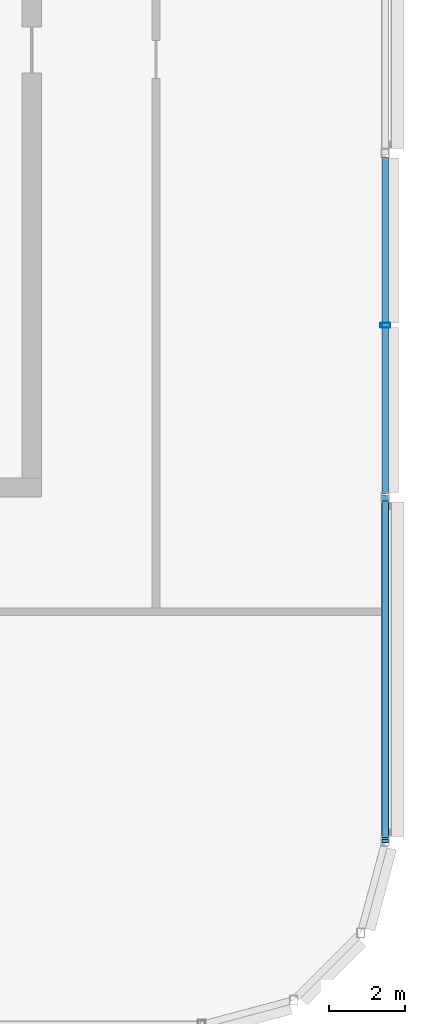
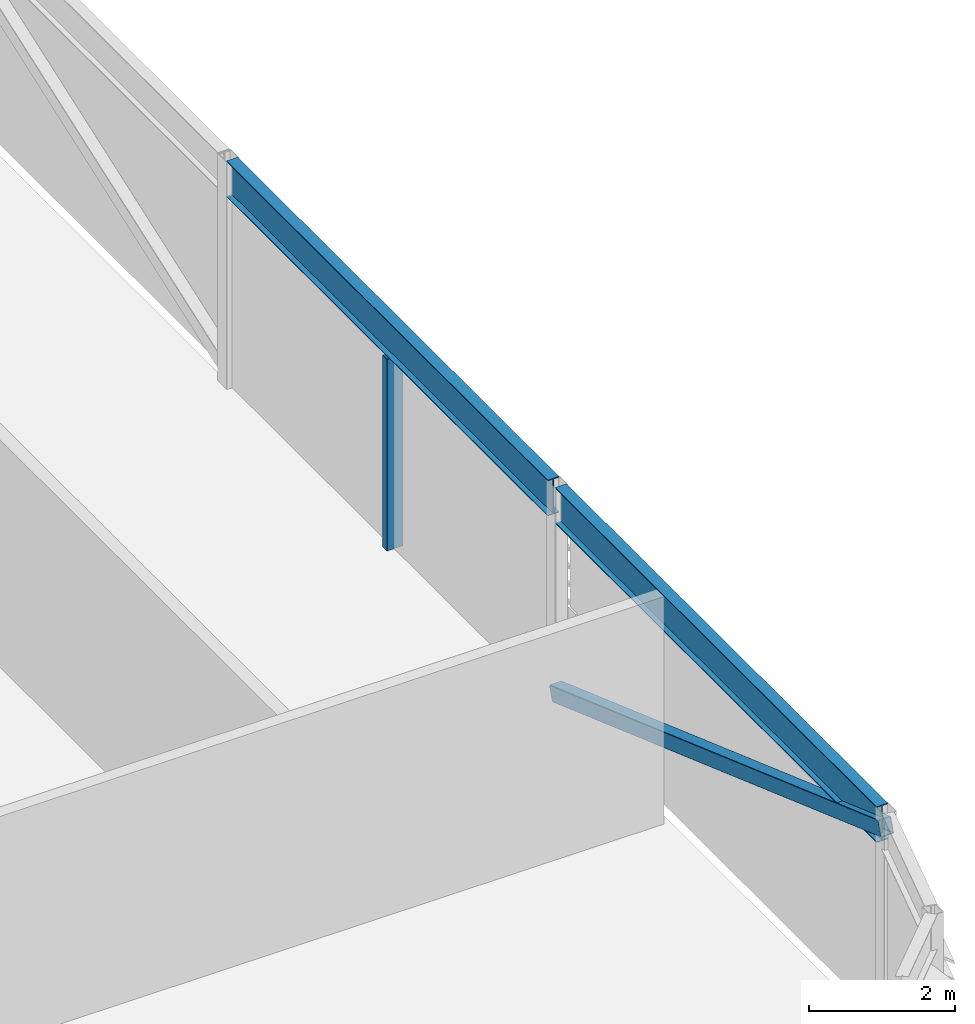
# One storey, part 9 of 28: 2 beams, 2 members.
"""IFC4 building model written with IfcOpenShell, lengths in metres."""

import ifcopenshell
import ifcopenshell.guid

model = None  # the IFC model being written
_history = None  # IfcOwnerHistory: only IFC2X3 demands one
_inside = {}  # id of a spatial element -> (the spatial element, [elements in it])
_under = {}  # id of a project, library or spatial element -> (it, [spatial elements below it])
_declared = {}  # id of a project -> (the project, [libraries it declares])
_typed = {}  # id of a type object -> (the type object, [elements of that type])
_made_of = {}  # id of a material, layer set ... -> (it, [elements and type objects made of it])


def new_model(schema):
    """Start an empty IFC model of exactly this schema.

    Asked for "IFC4X3", IfcOpenShell would pick the latest addendum, in which some entities
    have other attributes; the version numbers below select the first issue.
    IFC2X3 requires an IfcOwnerHistory on every rooted entity: one is made here for all.
    """
    global model, _history
    if schema == "IFC4X3":
        model = ifcopenshell.file(schema_version=(4, 3, 0, 0))
    else:
        model = ifcopenshell.file(schema=schema)
    _inside.clear()
    _under.clear()
    _declared.clear()
    _typed.clear()
    _made_of.clear()
    _history = None
    if model.schema == "IFC2X3":
        org = make("IfcOrganization", Name="unknown")
        user = make(
            "IfcPersonAndOrganization",
            ThePerson=make("IfcPerson", FamilyName="unknown"),
            TheOrganization=org,
        )
        app = make(
            "IfcApplication",
            ApplicationDeveloper=org,
            Version="unknown",
            ApplicationFullName="unknown",
            ApplicationIdentifier="unknown",
        )
        _history = make(
            "IfcOwnerHistory",
            OwningUser=user,
            OwningApplication=app,
            ChangeAction="ADDED",
            CreationDate=0,
        )
    return model


def make(cls, **values):
    """One entity of the class cls with the attributes given. An attribute that is None is left unset."""
    return model.create_entity(
        cls, **{name: value for name, value in values.items() if value is not None}
    )


def rooted(cls, **values):
    """An entity with a GlobalId (a new one), such as an element, a storey or a relation."""
    return make(cls, GlobalId=ifcopenshell.guid.new(), OwnerHistory=_history, **values)


def si_unit(unit_type, name, prefix=None):
    """IfcSIUnit, for example si_unit("LENGTHUNIT", "METRE", prefix="MILLI")."""
    return make("IfcSIUnit", UnitType=unit_type, Prefix=prefix, Name=name)


def assignment(units):
    """IfcUnitAssignment: the units of a project."""
    return None if units is None else make("IfcUnitAssignment", Units=units)


def point(xyz):
    """IfcCartesianPoint."""
    return None if xyz is None else make("IfcCartesianPoint", Coordinates=xyz)


def direction(xyz):
    """IfcDirection."""
    return None if xyz is None else make("IfcDirection", DirectionRatios=xyz)


def frame(location, z_axis=None, x_axis=None):
    """IfcAxis2Placement3D, a coordinate frame: its origin and axes. An axis left out is left unset."""
    return make(
        "IfcAxis2Placement3D",
        Location=point(location),
        Axis=direction(z_axis),
        RefDirection=direction(x_axis),
    )


def frame_2d(location, x_axis=None):
    """IfcAxis2Placement2D, a coordinate frame in the plane: its origin and x axis."""
    return make(
        "IfcAxis2Placement2D", Location=point(location), RefDirection=direction(x_axis)
    )


def origin():
    """The frame at (0, 0, 0) with its axes left unset."""
    return frame((0.0, 0.0, 0.0))


def origin_2d():
    """The frame at (0, 0) in the plane with its x axis left unset."""
    return frame_2d((0.0, 0.0))


def place(relative_to, where):
    """IfcLocalPlacement: puts the frame where relative to a parent placement (None: the world)."""
    return make(
        "IfcLocalPlacement", PlacementRelTo=relative_to, RelativePlacement=where
    )


def context(
    kind, dimensions, precision=None, world=None, true_north=None, identifier=None
):
    """IfcGeometricRepresentationContext, for example the 3D "Model" context."""
    return make(
        "IfcGeometricRepresentationContext",
        ContextIdentifier=identifier,
        ContextType=kind,
        CoordinateSpaceDimension=dimensions,
        Precision=precision,
        WorldCoordinateSystem=world,
        TrueNorth=true_north,
    )


def subcontext(parent, identifier, kind, view, scale=None):
    """IfcGeometricRepresentationSubContext, for example "Body" below "Model"."""
    return make(
        "IfcGeometricRepresentationSubContext",
        ContextIdentifier=identifier,
        ContextType=kind,
        ParentContext=parent,
        TargetScale=scale,
        TargetView=view,
    )


def project(units=None, contexts=None):
    """IfcProject with its units and contexts."""
    return rooted(
        "IfcProject",
        Name="project",
        RepresentationContexts=contexts,
        UnitsInContext=assignment(units),
    )


def spatial(cls, under=None, at=None, **own):
    """A site, building, storey or space (cls), placed at a placement, below another one or the project."""
    s = rooted(cls, ObjectPlacement=at, **own)
    if under is not None:
        _under.setdefault(under.id(), (under, []))[1].append(s)
    return s


def profile(cls, at=None, kind="AREA", **sizes):
    """A parametric profile (cls). Its sizes go by their IFC names, for example OverallWidth=200.0."""
    return make(cls, ProfileType=kind, Position=at, **sizes)


def hollow_rectangle(**sizes):
    """IfcRectangleHollowProfileDef."""
    return profile("IfcRectangleHollowProfileDef", **sizes)


def i_section(**sizes):
    """IfcIShapeProfileDef."""
    return profile("IfcIShapeProfileDef", **sizes)


def extrude(swept, where, along, depth):
    """IfcExtrudedAreaSolid: the profile swept, set in the frame where, extruded along a direction by depth."""
    return make(
        "IfcExtrudedAreaSolid",
        SweptArea=swept,
        Position=where,
        ExtrudedDirection=direction(along),
        Depth=depth,
    )


def shape(context_of_items, identifier, shape_type, items):
    """IfcShapeRepresentation: the items that make up one representation, for example the "Body"."""
    return make(
        "IfcShapeRepresentation",
        ContextOfItems=context_of_items,
        RepresentationIdentifier=identifier,
        RepresentationType=shape_type,
        Items=items,
    )


def material(Name=None, Category=None):
    """IfcMaterial."""
    return make("IfcMaterial", Name=Name, Category=Category)


def material_profile(
    of_material, cross_section, Name=None, Category=None, Priority=None
):
    """IfcMaterialProfile: a cross section and its material."""
    return make(
        "IfcMaterialProfile",
        Name=Name,
        Material=of_material,
        Profile=cross_section,
        Priority=Priority,
        Category=Category,
    )


def profile_set(profiles, Name=None, composite=None):
    """IfcMaterialProfileSet."""
    return make(
        "IfcMaterialProfileSet",
        Name=Name,
        MaterialProfiles=profiles,
        CompositeProfile=composite,
    )


def made_of(thing, what):
    """Note that an element or type object is made of a material, layer set ...; save() writes the relation."""
    if what is not None:
        _made_of.setdefault(what.id(), (what, []))[1].append(thing)
    return thing


def type_object(cls, material=None, **own):
    """A type object (cls), such as IfcWallType, which elements share."""
    return made_of(rooted(cls, **own), material)


def element(
    cls,
    number,
    at=None,
    inside=None,
    cuts=None,
    type_object=None,
    material=None,
    context=None,
    identifier="Body",
    shape_type=None,
    held_by="IfcProductDefinitionShape",
    body=None,
    shapes=None,
    **own,
):
    """One element of the class cls, such as IfcWall. Its Tag is "e" and its number.

    at: its placement. inside: the storey or other place that contains it. cuts: it is an
    opening in that element (IfcRelVoidsElement). A single representation is given by context,
    identifier, shape_type and body (its items); several are given by shapes. held_by: the class
    of the entity that holds the representations. save() writes the other relations.
    """
    e = rooted(cls, Tag="e%d" % number, ObjectPlacement=at, **own)
    if body is not None:
        shapes = [shape(context, identifier, shape_type, body)]
    if shapes is not None:
        e.Representation = make(held_by, Representations=shapes)
    if inside is not None:
        _inside.setdefault(inside.id(), (inside, []))[1].append(e)
    if cuts is not None:
        rooted(
            "IfcRelVoidsElement", RelatingBuildingElement=cuts, RelatedOpeningElement=e
        )
    if type_object is not None:
        _typed.setdefault(type_object.id(), (type_object, []))[1].append(e)
    return made_of(e, material)


def aggregate(whole, parts):
    """IfcRelAggregates: a whole, such as a stair, and the parts it consists of."""
    return rooted("IfcRelAggregates", RelatingObject=whole, RelatedObjects=parts)


def save(model, path):
    """Write the relations noted so far, then the file.

    IfcRelAggregates (storeys below a building ...), IfcRelContainedInSpatialStructure (elements
    in a storey), IfcRelDefinesByType, IfcRelAssociatesMaterial and IfcRelDeclares: one each for
    every whole, place, type object, material and project.
    """
    for whole, parts in _under.values():
        aggregate(whole, parts)
    for where, things in _inside.values():
        rooted(
            "IfcRelContainedInSpatialStructure",
            RelatedElements=things,
            RelatingStructure=where,
        )
    for kind, things in _typed.values():
        rooted("IfcRelDefinesByType", RelatedObjects=things, RelatingType=kind)
    for what, things in _made_of.values():
        rooted("IfcRelAssociatesMaterial", RelatedObjects=things, RelatingMaterial=what)
    for by, libraries in _declared.values():
        rooted("IfcRelDeclares", RelatingContext=by, RelatedDefinitions=libraries)
    model.write(path)


model = new_model("IFC4")

# Units and contexts
model_context = context("Model", 3, precision=1e-05, world=origin(), true_north=direction((0.0, 1.0)))
body_context = subcontext(model_context, "Body", "Model", "MODEL_VIEW")
ifc_project = project(units=[si_unit("LENGTHUNIT", "METRE"), si_unit("AREAUNIT", "SQUARE_METRE"), si_unit("VOLUMEUNIT", "CUBIC_METRE"), si_unit("PLANEANGLEUNIT", "RADIAN"), si_unit("MASSUNIT", "GRAM", prefix="KILO")], contexts=[model_context])

# Site, building, storey
site_placement = place(None, origin())
site = spatial("IfcSite", under=ifc_project, at=site_placement, CompositionType="ELEMENT")
building_placement = place(site_placement, origin())
building = spatial("IfcBuilding", under=site, at=building_placement, Name="Madar Terraces", CompositionType="ELEMENT")
storey_placement = place(building_placement, frame((0.0, 0.0, 310.10009765625)))
storey = spatial("IfcBuildingStorey", under=building, at=storey_placement, Name="L80", CompositionType="ELEMENT", Elevation=310.10009765625)

# Beams
ifc_material_1 = material(Name="Steel ASTM A992 Grade 50", Category="steel")
ifc_material_profile_1 = material_profile(ifc_material_1, i_section(OverallWidth=0.1787109375, OverallDepth=0.60205078125, WebThickness=0.010986328125, FlangeThickness=0.014892578125, at=origin_2d()), Name="W24x62")
ifc_profile_set_1 = profile_set([ifc_material_profile_1], Name="Steel ASTM A992 Grade 50")
beam_type = type_object("IfcBeamType", Name="CF2 W24x62", PredefinedType="BEAM", material=ifc_profile_set_1)
for number, where, z_axis, x_axis, name in (
    (1, (56.39990234375, 6.1015625, 3.4990234375), (0.0, 1.0, 0.0), (-1.0, 0.0, 0.0), "Crown frame ring beam CF2"),
    (2, (56.39990234375, 15.1015625, 3.4990234375), (0.0, 1.0, 0.0), (-1.0, 0.0, 0.0), "Crown frame ring beam CF2"),
):
    element("IfcBeam", number, at=place(storey_placement, frame(where, z_axis=z_axis, x_axis=x_axis)), inside=storey, type_object=beam_type, Name=name, PredefinedType="BEAM", context=body_context, shape_type="SweptSolid", body=[
        extrude(i_section(OverallWidth=0.1787109375, OverallDepth=0.60205078125, WebThickness=0.010986328125, FlangeThickness=0.014892578125, at=origin_2d()), origin(), (0.0, 0.0, 1.0), 8.796875),
    ])

# Members
ifc_material_2 = material(Name="Steel ASTM A500 Grade C", Category="steel")
ifc_material_profile_2 = material_profile(ifc_material_2, hollow_rectangle(XDim=0.203125, YDim=0.25390625, WallThickness=0.009521484375, InnerFilletRadius=0.00439453125, OuterFilletRadius=0.01318359375, at=origin_2d()), Name="HSS10x8x.375")
ifc_profile_set_2 = profile_set([ifc_material_profile_2], Name="Steel ASTM A500 Grade C")
member_type_1 = type_object("IfcMemberType", Name="CF5 crown frame brace HSS10x8x.375", PredefinedType="BRACE", material=ifc_profile_set_2)
member_1_placement = place(storey_placement, frame((56.39990234375, 6.0, 3.4990234375), z_axis=(0.0, 0.942240505119, -0.334937054554), x_axis=(-1.0, 0.0, 0.0)))
element("IfcMember", 3, at=member_1_placement, inside=storey, type_object=member_type_1, Name="Crown frame brace CF5", PredefinedType="BRACE", context=body_context, shape_type="SweptSolid", body=[
    extrude(hollow_rectangle(XDim=0.203125, YDim=0.25390625, WallThickness=0.009521484375, InnerFilletRadius=0.00439453125, OuterFilletRadius=0.01318359375, at=origin_2d()), origin(), (0.0, 0.0, 1.0), 9.5517578125),
])
ifc_material_3 = material(Name="Steel ASTM A500 Grade C", Category="steel")
ifc_material_profile_3 = material_profile(ifc_material_3, hollow_rectangle(XDim=0.126953125, YDim=0.25390625, WallThickness=0.00634765625, InnerFilletRadius=0.0029296875, OuterFilletRadius=0.0087890625, at=origin_2d()), Name="HSS10x5x.25")
ifc_profile_set_3 = profile_set([ifc_material_profile_3], Name="Steel ASTM A500 Grade C")
member_type_2 = type_object("IfcMemberType", Name="LS2 HSS10x5x.25", PredefinedType="POST", material=ifc_profile_set_3)
member_2_placement = place(storey_placement, frame((56.39990234375, 19.5, 0.0), z_axis=(0.0, 0.0, 1.0), x_axis=(0.0, 1.0, 0.0)))
element("IfcMember", 4, at=member_2_placement, inside=storey, type_object=member_type_2, Name="Crown louvre post LS2", PredefinedType="POST", context=body_context, shape_type="SweptSolid", body=[
    extrude(hollow_rectangle(XDim=0.126953125, YDim=0.25390625, WallThickness=0.00634765625, InnerFilletRadius=0.0029296875, OuterFilletRadius=0.0087890625, at=origin_2d()), origin(), (0.0, 0.0, 1.0), 3.197998046875),
])

save(model, "model.ifc")
